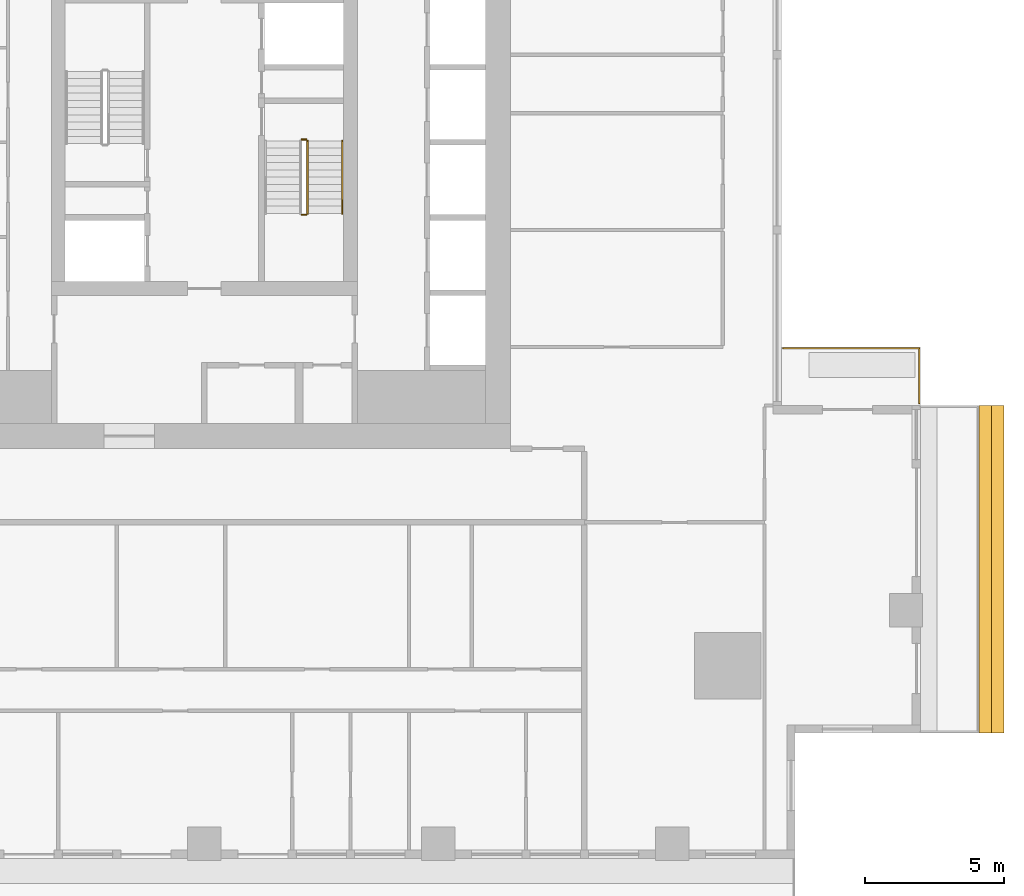
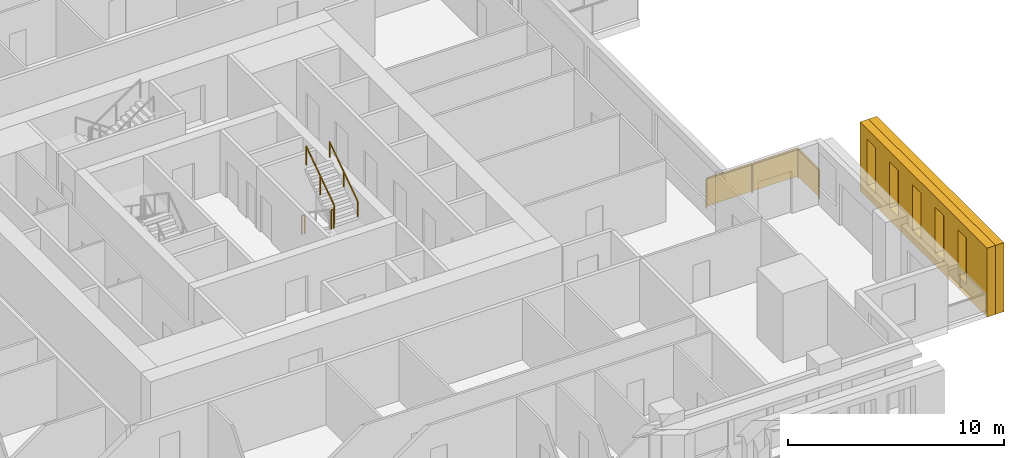
# One storey, part 13 of 15: 5 railings, 2 shading devices.
"""IFC4 building model written with IfcOpenShell, lengths in metres."""

from ifc_helpers import new_model, si_unit, direction, frame, origin, origin_2d, place, context, subcontext, project, spatial, polyline, rectangle, outline, extrude, material, type_object, element, save


model = new_model("IFC4")

# Units and contexts
model_context = context("Model", 3, precision=1e-05, world=origin(), true_north=direction((0.0, 1.0)))
body_context = subcontext(model_context, "Body", "Model", "MODEL_VIEW")
ifc_project = project(units=[si_unit("LENGTHUNIT", "METRE"), si_unit("AREAUNIT", "SQUARE_METRE"), si_unit("VOLUMEUNIT", "CUBIC_METRE"), si_unit("PLANEANGLEUNIT", "RADIAN"), si_unit("MASSUNIT", "GRAM", prefix="KILO")], contexts=[model_context])

# Site, building, storey
site_placement = place(None, origin())
site = spatial("IfcSite", under=ifc_project, at=site_placement, CompositionType="ELEMENT")
building_placement = place(site_placement, origin())
building = spatial("IfcBuilding", under=site, at=building_placement, Name="Khepri Terraces", CompositionType="ELEMENT")
storey_placement = place(building_placement, frame((0.0, 0.0, 211.800048828125)))
storey = spatial("IfcBuildingStorey", under=building, at=storey_placement, Name="L50", CompositionType="ELEMENT", Elevation=211.800048828125)

# Railings
ifc_material_1 = material(Name="Stainless steel grade 316", Category="steel")
railing_type_1 = type_object("IfcRailingType", Name="GRD-TERR-1700", PredefinedType="GUARDRAIL", material=ifc_material_1)
railing_1_placement = place(storey_placement, frame((20.7900390625, -7.39990234375, 0.0)))
element("IfcRailing", 1, at=railing_1_placement, inside=storey, type_object=railing_type_1, Name="Terrace guard L50", PredefinedType="GUARDRAIL", context=body_context, shape_type="SweptSolid", body=[
    extrude(rectangle(XDim=0.050048828125, YDim=0.06005859375, at=origin_2d()), frame((0.0, 0.0, 1.669921875), z_axis=(1.0, 0.0, 0.0), x_axis=(0.0, 1.0, 0.0)), (0.0, 0.0, 1.0), 4.8798828125),
    extrude(rectangle(XDim=2.389892578125, YDim=0.011962890625, at=origin_2d()), frame((1.219970703125, 0.0, 0.10009765625), z_axis=(0.0, 0.0, 1.0), x_axis=(1.0, 0.0, 0.0)), (0.0, 0.0, 1.0), 1.539794921875),
    extrude(rectangle(XDim=2.389892578125, YDim=0.011962890625, at=origin_2d()), frame((3.659912109375, 0.0, 0.10009765625), z_axis=(0.0, 0.0, 1.0), x_axis=(1.0, 0.0, 0.0)), (0.0, 0.0, 1.0), 1.539794921875),
    extrude(rectangle(XDim=0.050048828125, YDim=0.06005859375, at=origin_2d()), frame((4.8798828125, 0.0, 1.669921875), z_axis=(0.0, -1.0, 0.0), x_axis=(1.0, 0.0, 0.0)), (0.0, 0.0, 1.0), 1.97998046875),
    extrude(rectangle(XDim=1.929931640625, YDim=0.011962890625, at=origin_2d()), frame((4.8798828125, -0.989990234375, 0.10009765625), z_axis=(0.0, 0.0, 1.0), x_axis=(0.0, -1.0, 0.0)), (0.0, 0.0, 1.0), 1.539794921875),
    extrude(rectangle(XDim=0.050048828125, YDim=0.050048828125, at=origin_2d()), origin(), (0.0, 0.0, 1.0), 1.639892578125),
    extrude(rectangle(XDim=0.050048828125, YDim=0.050048828125, at=origin_2d()), frame((2.43994140625, 0.0, 0.0)), (0.0, 0.0, 1.0), 1.639892578125),
    extrude(rectangle(XDim=0.050048828125, YDim=0.050048828125, at=origin_2d()), frame((4.8798828125, 0.0, 0.0)), (0.0, 0.0, 1.0), 1.639892578125),
    extrude(rectangle(XDim=0.050048828125, YDim=0.050048828125, at=origin_2d()), frame((4.8798828125, -1.97998046875, 0.0)), (0.0, 0.0, 1.0), 1.639892578125),
])
ifc_material_2 = material(Name="Stainless steel 316", Category="steel")
railing_type_2 = type_object("IfcRailingType", Name="RL-CORE-GUARD", PredefinedType="GUARDRAIL", material=ifc_material_2)
railing_2_placement = place(storey_placement, frame((3.5, -2.60009765625, 1.949951171875)))
element("IfcRailing", 2, at=railing_2_placement, inside=storey, type_object=railing_type_2, Name="L50 ST-2 stair guard 2", PredefinedType="GUARDRAIL", context=body_context, shape_type="SweptSolid", body=[
    extrude(rectangle(XDim=0.050048828125, YDim=0.06005859375, at=origin_2d()), frame((0.0, 0.0, 1.070068359375), z_axis=(1.0, 0.0, 0.0), x_axis=(0.0, 1.0, 0.0)), (0.0, 0.0, 1.0), 0.14990234375),
    extrude(rectangle(XDim=0.050048828125, YDim=0.050048828125, at=origin_2d()), origin(), (0.0, 0.0, 1.0), 1.0400390625),
    extrude(rectangle(XDim=0.050048828125, YDim=0.050048828125, at=origin_2d()), frame((0.14990234375, 0.0, 0.0)), (0.0, 0.0, 1.0), 1.0400390625),
])
railing_3_placement = place(storey_placement, frame((3.699951171875, -2.550048828125, 2.127197265625)))
element("IfcRailing", 3, at=railing_3_placement, inside=storey, type_object=railing_type_2, Name="L50 ST-2 stair guard 3", PredefinedType="GUARDRAIL", context=body_context, shape_type="SweptSolid", body=[
    extrude(rectangle(XDim=0.050048828125, YDim=0.06005859375, at=origin_2d()), frame((0.0, 0.0, 1.070068359375), z_axis=(0.0, 0.826240473404, 0.563317565952), x_axis=(-1.0, 0.0, 0.0)), (0.0, 0.0, 1.0), 3.14697265625),
    extrude(rectangle(XDim=0.050048828125, YDim=0.050048828125, at=origin_2d()), origin(), (0.0, 0.0, 1.0), 1.0400390625),
    extrude(rectangle(XDim=0.050048828125, YDim=0.050048828125, at=origin_2d()), frame((0.0, 1.300048828125, 0.88623046875)), (0.0, 0.0, 1.0), 1.0400390625),
    extrude(rectangle(XDim=0.050048828125, YDim=0.050048828125, at=origin_2d()), frame((0.0, 2.60009765625, 1.772705078125)), (0.0, 0.0, 1.0), 1.0400390625),
])
railing_4_placement = place(storey_placement, frame((3.5, 0.10009765625, 0.0)))
element("IfcRailing", 4, at=railing_4_placement, inside=storey, type_object=railing_type_2, Name="L50 ST-2 stair guard 4", PredefinedType="GUARDRAIL", context=body_context, shape_type="SweptSolid", body=[
    extrude(rectangle(XDim=0.050048828125, YDim=0.06005859375, at=origin_2d()), frame((0.0, 0.0, 1.070068359375), z_axis=(1.0, 0.0, 0.0), x_axis=(0.0, 1.0, 0.0)), (0.0, 0.0, 1.0), 0.14990234375),
    extrude(rectangle(XDim=0.050048828125, YDim=0.050048828125, at=origin_2d()), origin(), (0.0, 0.0, 1.0), 1.0400390625),
    extrude(rectangle(XDim=0.050048828125, YDim=0.050048828125, at=origin_2d()), frame((0.14990234375, 0.0, 0.0)), (0.0, 0.0, 1.0), 1.0400390625),
])
railing_type_3 = type_object("IfcRailingType", Name="RL-CORE-HANDRAIL", PredefinedType="HANDRAIL", material=ifc_material_2)
railing_5_placement = place(storey_placement, frame((4.949951171875, -2.550048828125, 2.127197265625)))
element("IfcRailing", 5, at=railing_5_placement, inside=storey, type_object=railing_type_3, Name="L50 ST-2 stair handrail 2", PredefinedType="HANDRAIL", context=body_context, shape_type="SweptSolid", body=[
    extrude(rectangle(XDim=0.050048828125, YDim=0.050048828125, at=origin_2d()), frame((0.0, 0.0, 0.875), z_axis=(0.0, 0.826240473404, 0.563317565952), x_axis=(-1.0, 0.0, 0.0)), (0.0, 0.0, 1.0), 3.14697265625),
    extrude(rectangle(XDim=0.050048828125, YDim=0.050048828125, at=origin_2d()), origin(), (0.0, 0.0, 1.0), 0.849853515625),
    extrude(rectangle(XDim=0.050048828125, YDim=0.050048828125, at=origin_2d()), frame((0.0, 1.300048828125, 0.88623046875)), (0.0, 0.0, 1.0), 0.849853515625),
    extrude(rectangle(XDim=0.050048828125, YDim=0.050048828125, at=origin_2d()), frame((0.0, 2.60009765625, 1.772705078125)), (0.0, 0.0, 1.0), 0.849853515625),
])

# Shading devices
ifc_material_3 = material(Name="Precast concrete C50/60 warm stone", Category="masonry")
shading_device_type_1 = type_object("IfcShadingDeviceType", Name="SCR-CELL-INNER-450", PredefinedType="USERDEFINED", material=ifc_material_3)
shading_device_1_placement = place(storey_placement, frame((27.820068359375, -21.219970703125, -0.25), z_axis=(1.0, 0.0, 0.0), x_axis=(0.0, 1.0, 0.0)))
element("IfcShadingDevice", 6, at=shading_device_1_placement, inside=storey, type_object=shading_device_type_1, Name="Cell screen L50 E in", ObjectType="SCREEN", PredefinedType="USERDEFINED", context=body_context, shape_type="SweptSolid", body=[
    extrude(outline(polyline([(0.0, 0.0), (11.77001953125, 0.0), (11.77001953125, 3.89990234375), (0.0, 3.89990234375), (0.0, 0.0)]), holes=[polyline([(1.91845703125, 0.699951171875), (2.7216796875, 0.699951171875), (2.7216796875, 3.300048828125), (1.91845703125, 3.300048828125), (1.91845703125, 0.699951171875)]), polyline([(4.018310546875, 0.699951171875), (4.821533203125, 0.699951171875), (4.821533203125, 3.300048828125), (4.018310546875, 3.300048828125), (4.018310546875, 0.699951171875)]), polyline([(6.118408203125, 0.699951171875), (6.921630859375, 0.699951171875), (6.921630859375, 3.300048828125), (6.118408203125, 3.300048828125), (6.118408203125, 0.699951171875)]), polyline([(8.218505859375, 0.699951171875), (9.021484375, 0.699951171875), (9.021484375, 3.300048828125), (8.218505859375, 3.300048828125), (8.218505859375, 0.699951171875)]), polyline([(10.318359375, 0.699951171875), (11.12158203125, 0.699951171875), (11.12158203125, 3.300048828125), (10.318359375, 3.300048828125), (10.318359375, 0.699951171875)])]), origin(), (0.0, 0.0, 1.0), 0.449951171875),
])
shading_device_type_2 = type_object("IfcShadingDeviceType", Name="SCR-CELL-OUTER-450", PredefinedType="USERDEFINED", material=ifc_material_3)
shading_device_2_placement = place(storey_placement, frame((28.27001953125, -21.219970703125, -0.25), z_axis=(1.0, 0.0, 0.0), x_axis=(0.0, 1.0, 0.0)))
element("IfcShadingDevice", 7, at=shading_device_2_placement, inside=storey, type_object=shading_device_type_2, Name="Cell screen L50 E out", ObjectType="SCREEN", PredefinedType="USERDEFINED", context=body_context, shape_type="SweptSolid", body=[
    extrude(outline(polyline([(0.0, 0.0), (11.77001953125, 0.0), (11.77001953125, 3.89990234375), (0.0, 3.89990234375), (0.0, 0.0)]), holes=[polyline([(1.568359375, 0.449951171875), (3.071533203125, 0.449951171875), (3.071533203125, 3.550048828125), (1.568359375, 3.550048828125), (1.568359375, 0.449951171875)]), polyline([(3.66845703125, 0.449951171875), (5.171630859375, 0.449951171875), (5.171630859375, 3.550048828125), (3.66845703125, 3.550048828125), (3.66845703125, 0.449951171875)]), polyline([(5.768310546875, 0.449951171875), (7.271484375, 0.449951171875), (7.271484375, 3.550048828125), (5.768310546875, 3.550048828125), (5.768310546875, 0.449951171875)]), polyline([(7.868408203125, 0.449951171875), (9.37158203125, 0.449951171875), (9.37158203125, 3.550048828125), (7.868408203125, 3.550048828125), (7.868408203125, 0.449951171875)]), polyline([(9.968505859375, 0.449951171875), (11.4716796875, 0.449951171875), (11.4716796875, 3.550048828125), (9.968505859375, 3.550048828125), (9.968505859375, 0.449951171875)])]), origin(), (0.0, 0.0, 1.0), 0.449951171875),
])

save(model, "model.ifc")
